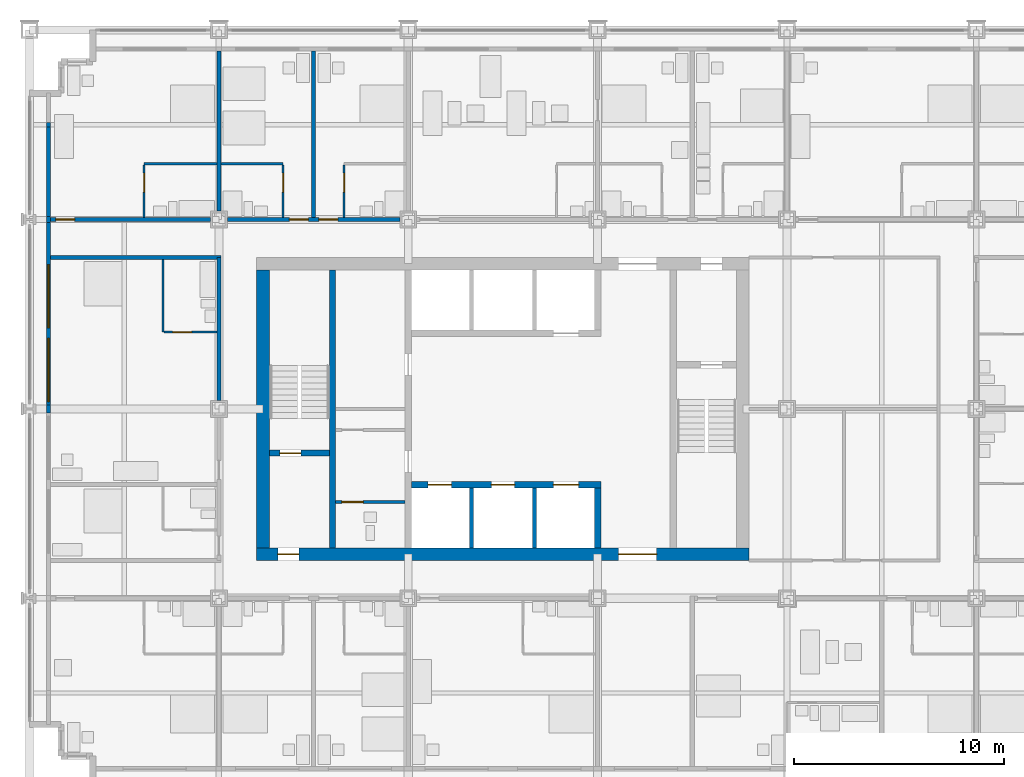
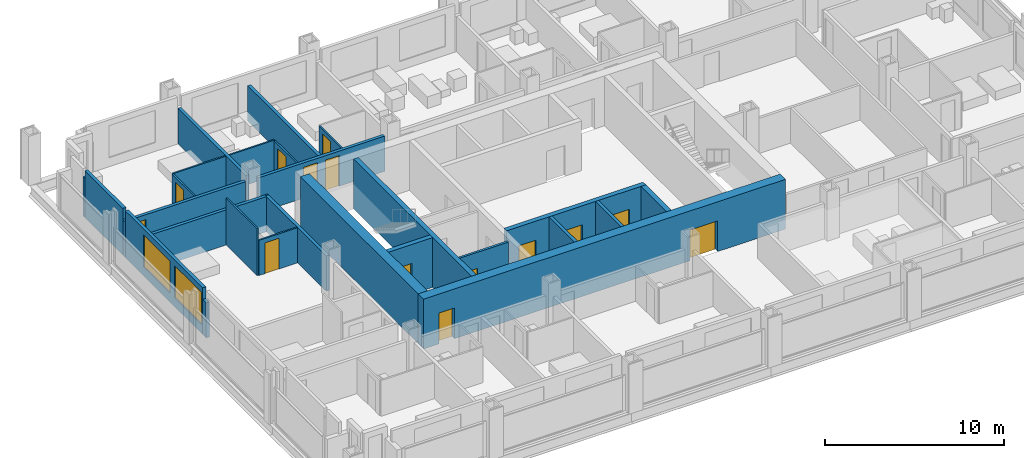
# One storey, part 11 of 18: 27 walls, 14 doors, 2 windows, 16 openings.
"""IFC4 building model written with IfcOpenShell, lengths in metres."""

from ifc_helpers import new_model, si_unit, direction, frame, frame_2d, origin, place, context, subcontext, project, spatial, rectangle, extrude, material, layer, layer_set, type_object, element, fill, save


model = new_model("IFC4")

# Units and contexts
model_context = context("Model", 3, precision=1e-05, world=origin(), true_north=direction((0.0, 1.0)))
body_context = subcontext(model_context, "Body", "Model", "MODEL_VIEW")
ifc_project = project(units=[si_unit("LENGTHUNIT", "METRE"), si_unit("AREAUNIT", "SQUARE_METRE"), si_unit("VOLUMEUNIT", "CUBIC_METRE"), si_unit("PLANEANGLEUNIT", "RADIAN"), si_unit("MASSUNIT", "GRAM", prefix="KILO")], contexts=[model_context])

# Site, building, storey
site_placement = place(None, origin())
site = spatial("IfcSite", under=ifc_project, at=site_placement, CompositionType="ELEMENT")
building_placement = place(site_placement, origin())
building = spatial("IfcBuilding", under=site, at=building_placement, Name="Loomwork Tower", CompositionType="ELEMENT")
storey_placement = place(building_placement, frame((0.0, 0.0, 34.800048828125)))
storey = spatial("IfcBuildingStorey", under=building, at=storey_placement, Name="L07", CompositionType="ELEMENT", Elevation=34.800048828125)

# Wall
ifc_material_1 = material(Name="Concrete 14000 psi (97 MPa)", Category="concrete")
ifc_layer_1 = layer(ifc_material_1, 0.300048828125)
ifc_layer_set_1 = layer_set([ifc_layer_1], Name="Core shear wall 300")
wall_type_1 = type_object("IfcWallType", Name="Core shear wall 300", PredefinedType="SHEAR", material=ifc_layer_set_1)
wall_1_placement = place(storey_placement, frame((14.39990234375, 11.39990234375, 0.0), z_axis=(0.0, 0.0, 1.0), x_axis=(0.0, 1.0, 0.0)))
element("IfcWall", 1, at=wall_1_placement, inside=storey, type_object=wall_type_1, Name="Stair A east wall L07", PredefinedType="SHEAR", context=body_context, shape_type="SweptSolid", body=[
    extrude(rectangle(XDim=13.2001953125, YDim=0.300048828125, at=frame_2d((6.60009765625, 0.0))), origin(), (0.0, 0.0, 1.0), 3.39990234375),
])

# Wall, opening, door
wall_2_placement = place(storey_placement, frame((11.39990234375, 15.89990234375, 0.0), z_axis=(0.0, 0.0, 1.0), x_axis=(1.0, 0.0, 0.0)))
wall_2 = element("IfcWall", 2, at=wall_2_placement, inside=storey, type_object=wall_type_1, Name="Stair A south wall L07", PredefinedType="SHEAR", context=body_context, shape_type="SweptSolid", body=[
    extrude(rectangle(XDim=2.85009765625, YDim=0.300048828125, at=frame_2d((1.425048828125, 0.0))), origin(), (0.0, 0.0, 1.0), 3.39990234375),
])
opening_1_placement = place(wall_2_placement, frame((0.5, 0.0, 0.0)))
opening_1 = element("IfcOpeningElement", 3, at=opening_1_placement, cuts=wall_2, Name="Opening D4", PredefinedType="OPENING", context=body_context, shape_type="SweptSolid", body=[
    extrude(rectangle(XDim=1.0, YDim=2.10009765625, at=frame_2d((0.5, 1.050048828125))), frame((0.0, 0.159912109375, 0.0), z_axis=(0.0, -1.0, 0.0), x_axis=(1.0, 0.0, 0.0)), (0.0, 0.0, 1.0), 0.320068359375),
])
ifc_material_2 = material(Name="Hollow metal door and frame")
door_type_1 = type_object("IfcDoorType", Name="Stair door 1000", OperationType="SINGLE_SWING_RIGHT", PredefinedType="DOOR", material=ifc_material_2)
door_1_placement = place(opening_1_placement, origin())
door_1 = element("IfcDoor", 4, at=door_1_placement, inside=storey, type_object=door_type_1, Name="Stair A door", OperationType="SINGLE_SWING_LEFT", OverallHeight=2.10009765625, OverallWidth=1.0, PredefinedType="DOOR", context=body_context, shape_type="SweptSolid", body=[
    extrude(rectangle(XDim=1.0, YDim=2.10009765625, at=frame_2d((0.5, 1.050048828125))), frame((0.0, 0.02490234375, 0.0), z_axis=(0.0, -1.0, 0.0), x_axis=(1.0, 0.0, 0.0)), (0.0, 0.0, 1.0), 0.050048828125),
])
fill(opening_1, door_1)

# Wall, openings, doors
wall_3_placement = place(storey_placement, frame((18.14990234375, 14.39990234375, 0.0), z_axis=(0.0, 0.0, 1.0), x_axis=(1.0, 0.0, 0.0)))
wall_3 = element("IfcWall", 5, at=wall_3_placement, inside=storey, type_object=wall_type_1, Name="Lift front wall south L07", PredefinedType="SHEAR", context=body_context, shape_type="SweptSolid", body=[
    extrude(rectangle(XDim=9.0, YDim=0.300048828125, at=frame_2d((4.5, 0.0))), origin(), (0.0, 0.0, 1.0), 3.39990234375),
])
opening_2_placement = place(wall_3_placement, frame((0.800048828125, 0.0, 0.0)))
opening_2 = element("IfcOpeningElement", 6, at=opening_2_placement, cuts=wall_3, Name="Opening LD1", PredefinedType="OPENING", context=body_context, shape_type="SweptSolid", body=[
    extrude(rectangle(XDim=1.10009765625, YDim=2.10009765625, at=frame_2d((0.550048828125, 1.050048828125))), frame((0.0, 0.159912109375, 0.0), z_axis=(0.0, -1.0, 0.0), x_axis=(1.0, 0.0, 0.0)), (0.0, 0.0, 1.0), 0.320068359375),
])
opening_3_placement = place(wall_3_placement, frame((3.800048828125, 0.0, 0.0)))
opening_3 = element("IfcOpeningElement", 7, at=opening_3_placement, cuts=wall_3, Name="Opening LD1", PredefinedType="OPENING", context=body_context, shape_type="SweptSolid", body=[
    extrude(rectangle(XDim=1.10009765625, YDim=2.10009765625, at=frame_2d((0.550048828125, 1.050048828125))), frame((0.0, 0.159912109375, 0.0), z_axis=(0.0, -1.0, 0.0), x_axis=(1.0, 0.0, 0.0)), (0.0, 0.0, 1.0), 0.320068359375),
])
opening_4_placement = place(wall_3_placement, frame((6.75, 0.0, 0.0)))
opening_4 = element("IfcOpeningElement", 8, at=opening_4_placement, cuts=wall_3, Name="Opening LD2", PredefinedType="OPENING", context=body_context, shape_type="SweptSolid", body=[
    extrude(rectangle(XDim=1.199951171875, YDim=2.10009765625, at=frame_2d((0.60009765625, 1.050048828125))), frame((0.0, 0.159912109375, 0.0), z_axis=(0.0, -1.0, 0.0), x_axis=(1.0, 0.0, 0.0)), (0.0, 0.0, 1.0), 0.320068359375),
])
ifc_material_3 = material(Name="Hollow metal door and frame")
door_type_2 = type_object("IfcDoorType", Name="Lift landing door 1100", OperationType="SLIDING_TO_LEFT", PredefinedType="DOOR", material=ifc_material_3)
door_2_placement = place(opening_2_placement, origin())
door_2 = element("IfcDoor", 9, at=door_2_placement, inside=storey, type_object=door_type_2, Name="Lift landing door LA1", OperationType="SLIDING_TO_LEFT", OverallHeight=2.10009765625, OverallWidth=1.10009765625, PredefinedType="DOOR", context=body_context, shape_type="SweptSolid", body=[
    extrude(rectangle(XDim=1.10009765625, YDim=2.10009765625, at=frame_2d((0.550048828125, 1.050048828125))), frame((0.0, 0.02490234375, 0.0), z_axis=(0.0, -1.0, 0.0), x_axis=(1.0, 0.0, 0.0)), (0.0, 0.0, 1.0), 0.050048828125),
])
fill(opening_2, door_2)
door_3_placement = place(opening_3_placement, origin())
door_3 = element("IfcDoor", 10, at=door_3_placement, inside=storey, type_object=door_type_2, Name="Lift landing door LA2", OperationType="SLIDING_TO_LEFT", OverallHeight=2.10009765625, OverallWidth=1.10009765625, PredefinedType="DOOR", context=body_context, shape_type="SweptSolid", body=[
    extrude(rectangle(XDim=1.10009765625, YDim=2.10009765625, at=frame_2d((0.550048828125, 1.050048828125))), frame((0.0, 0.02490234375, 0.0), z_axis=(0.0, -1.0, 0.0), x_axis=(1.0, 0.0, 0.0)), (0.0, 0.0, 1.0), 0.050048828125),
])
fill(opening_3, door_3)
ifc_material_4 = material(Name="Hollow metal door and frame")
door_type_3 = type_object("IfcDoorType", Name="Lift landing door 1200", OperationType="SLIDING_TO_LEFT", PredefinedType="DOOR", material=ifc_material_4)
door_4_placement = place(opening_4_placement, origin())
door_4 = element("IfcDoor", 11, at=door_4_placement, inside=storey, type_object=door_type_3, Name="Lift landing door LF1", OperationType="SLIDING_TO_LEFT", OverallHeight=2.10009765625, OverallWidth=1.199951171875, PredefinedType="DOOR", context=body_context, shape_type="SweptSolid", body=[
    extrude(rectangle(XDim=1.199951171875, YDim=2.10009765625, at=frame_2d((0.60009765625, 1.050048828125))), frame((0.0, 0.02490234375, 0.0), z_axis=(0.0, -1.0, 0.0), x_axis=(1.0, 0.0, 0.0)), (0.0, 0.0, 1.0), 0.050048828125),
])
fill(opening_4, door_4)

# Wall
wall_4_placement = place(storey_placement, frame((27.0, 11.39990234375, 0.0), z_axis=(0.0, 0.0, 1.0), x_axis=(0.0, 1.0, 0.0)))
element("IfcWall", 12, at=wall_4_placement, inside=storey, type_object=wall_type_1, Name="Lift shaft end wall south L07", PredefinedType="SHEAR", context=body_context, shape_type="SweptSolid", body=[
    extrude(rectangle(XDim=2.85009765625, YDim=0.300048828125, at=frame_2d((1.425048828125, 0.0))), origin(), (0.0, 0.0, 1.0), 3.39990234375),
])

# Wall, openings, doors
ifc_material_5 = material(Name="Concrete 14000 psi (97 MPa)", Category="concrete")
ifc_layer_2 = layer(ifc_material_5, 0.60009765625)
ifc_layer_set_2 = layer_set([ifc_layer_2], Name="Core shear wall 600")
wall_type_2 = type_object("IfcWallType", Name="Core shear wall 600", PredefinedType="SHEAR", material=ifc_layer_set_2)
wall_5_placement = place(storey_placement, frame((10.800048828125, 11.10009765625, 0.0), z_axis=(0.0, 0.0, 1.0), x_axis=(1.0, 0.0, 0.0)))
wall_5 = element("IfcWall", 13, at=wall_5_placement, inside=storey, type_object=wall_type_2, Name="Core wall south L07", PredefinedType="SHEAR", context=body_context, shape_type="SweptSolid", body=[
    extrude(rectangle(XDim=23.39990234375, YDim=0.60009765625, at=frame_2d((11.699951171875, 0.0))), origin(), (0.0, 0.0, 1.0), 3.39990234375),
])
opening_5_placement = place(wall_5_placement, frame((1.0, 0.0, 0.0)))
opening_5 = element("IfcOpeningElement", 14, at=opening_5_placement, cuts=wall_5, Name="Opening D4", PredefinedType="OPENING", context=body_context, shape_type="SweptSolid", body=[
    extrude(rectangle(XDim=1.0, YDim=2.10009765625, at=frame_2d((0.5, 1.050048828125))), frame((0.0, 0.31005859375, 0.0), z_axis=(0.0, -1.0, 0.0), x_axis=(1.0, 0.0, 0.0)), (0.0, 0.0, 1.0), 0.6201171875),
])
opening_6_placement = place(wall_5_placement, frame((17.199951171875, 0.0, 0.0)))
opening_6 = element("IfcOpeningElement", 15, at=opening_6_placement, cuts=wall_5, Name="Opening D6", PredefinedType="OPENING", context=body_context, shape_type="SweptSolid", body=[
    extrude(rectangle(XDim=1.800048828125, YDim=2.10009765625, at=frame_2d((0.89990234375, 1.050048828125))), frame((0.0, 0.31005859375, 0.0), z_axis=(0.0, -1.0, 0.0), x_axis=(1.0, 0.0, 0.0)), (0.0, 0.0, 1.0), 0.6201171875),
])
ifc_material_6 = material(Name="Hollow metal door and frame")
door_type_4 = type_object("IfcDoorType", Name="Lobby passage double door 1800", OperationType="DOUBLE_DOOR_SINGLE_SWING", PredefinedType="DOOR", material=ifc_material_6)
door_5_placement = place(opening_6_placement, origin())
door_5 = element("IfcDoor", 16, at=door_5_placement, inside=storey, type_object=door_type_4, Name="Lobby passage door south", OperationType="DOUBLE_DOOR_SINGLE_SWING", OverallHeight=2.10009765625, OverallWidth=1.800048828125, PredefinedType="DOOR", context=body_context, shape_type="SweptSolid", body=[
    extrude(rectangle(XDim=1.800048828125, YDim=2.10009765625, at=frame_2d((0.89990234375, 1.050048828125))), frame((0.0, 0.02490234375, 0.0), z_axis=(0.0, -1.0, 0.0), x_axis=(1.0, 0.0, 0.0)), (0.0, 0.0, 1.0), 0.050048828125),
])
fill(opening_6, door_5)
door_6_placement = place(opening_5_placement, origin())
door_6 = element("IfcDoor", 17, at=door_6_placement, inside=storey, type_object=door_type_1, Name="Stair A vestibule door", OperationType="SINGLE_SWING_LEFT", OverallHeight=2.10009765625, OverallWidth=1.0, PredefinedType="DOOR", context=body_context, shape_type="SweptSolid", body=[
    extrude(rectangle(XDim=1.0, YDim=2.10009765625, at=frame_2d((0.5, 1.050048828125))), frame((0.0, 0.02490234375, 0.0), z_axis=(0.0, -1.0, 0.0), x_axis=(1.0, 0.0, 0.0)), (0.0, 0.0, 1.0), 0.050048828125),
])
fill(opening_5, door_6)

# Wall
wall_6_placement = place(storey_placement, frame((11.10009765625, 11.39990234375, 0.0), z_axis=(0.0, 0.0, 1.0), x_axis=(0.0, 1.0, 0.0)))
element("IfcWall", 18, at=wall_6_placement, inside=storey, type_object=wall_type_2, Name="Core wall west L07", PredefinedType="SHEAR", context=body_context, shape_type="SweptSolid", body=[
    extrude(rectangle(XDim=13.2001953125, YDim=0.60009765625, at=frame_2d((6.60009765625, 0.0))), origin(), (0.0, 0.0, 1.0), 3.39990234375),
])

# Wall, opening, door
ifc_material_7 = material(Name="Gypsum board on steel studs, one-hour", Category="steel")
ifc_layer_3 = layer(ifc_material_7, 0.199951171875)
ifc_layer_set_3 = layer_set([ifc_layer_3], Name="Corridor wall 200")
wall_type_3 = type_object("IfcWallType", Name="Corridor wall 200", PredefinedType="PARTITIONING", material=ifc_layer_set_3)
wall_7_placement = place(storey_placement, frame((1.0, 27.0, 0.0), z_axis=(0.0, 0.0, 1.0), x_axis=(1.0, 0.0, 0.0)))
wall_7 = element("IfcWall", 19, at=wall_7_placement, inside=storey, type_object=wall_type_3, Name="North corridor wall 1", PredefinedType="PARTITIONING", context=body_context, shape_type="SweptSolid", body=[
    extrude(rectangle(XDim=7.60009765625, YDim=0.199951171875, at=frame_2d((3.800048828125, 0.0))), origin(), (0.0, 0.0, 1.0), 2.43798828125),
])
opening_7_placement = place(wall_7_placement, frame((0.25, 0.0, 0.0)))
opening_7 = element("IfcOpeningElement", 20, at=opening_7_placement, cuts=wall_7, Name="Opening D1", PredefinedType="OPENING", context=body_context, shape_type="SweptSolid", body=[
    extrude(rectangle(XDim=0.89990234375, YDim=2.10009765625, at=frame_2d((0.449951171875, 1.050048828125))), frame((0.0, 0.10986328125, 0.0), z_axis=(0.0, -1.0, 0.0), x_axis=(1.0, 0.0, 0.0)), (0.0, 0.0, 1.0), 0.219970703125),
])
ifc_material_8 = material(Name="Hollow metal door and frame")
door_type_5 = type_object("IfcDoorType", Name="Guest room entry door 900", OperationType="SINGLE_SWING_LEFT", PredefinedType="DOOR", material=ifc_material_8)
door_7_placement = place(opening_7_placement, origin())
door_7 = element("IfcDoor", 21, at=door_7_placement, inside=storey, type_object=door_type_5, Name="Guest room entry door L07 8", OperationType="SINGLE_SWING_LEFT", OverallHeight=2.10009765625, OverallWidth=0.89990234375, PredefinedType="DOOR", context=body_context, shape_type="SweptSolid", body=[
    extrude(rectangle(XDim=0.89990234375, YDim=2.10009765625, at=frame_2d((0.449951171875, 1.050048828125))), frame((0.0, 0.02490234375, 0.0), z_axis=(0.0, -1.0, 0.0), x_axis=(1.0, 0.0, 0.0)), (0.0, 0.0, 1.0), 0.050048828125),
])
fill(opening_7, door_7)

# Wall, openings, doors
wall_8_placement = place(storey_placement, frame((9.39990234375, 27.0, 0.0), z_axis=(0.0, 0.0, 1.0), x_axis=(1.0, 0.0, 0.0)))
wall_8 = element("IfcWall", 22, at=wall_8_placement, inside=storey, type_object=wall_type_3, Name="North corridor wall 2", PredefinedType="PARTITIONING", context=body_context, shape_type="SweptSolid", body=[
    extrude(rectangle(XDim=8.2001953125, YDim=0.199951171875, at=frame_2d((4.10009765625, 0.0))), origin(), (0.0, 0.0, 1.0), 2.405029296875),
])
opening_8_placement = place(wall_8_placement, frame((2.949951171875, 0.0, 0.0)))
opening_8 = element("IfcOpeningElement", 23, at=opening_8_placement, cuts=wall_8, Name="Opening D1", PredefinedType="OPENING", context=body_context, shape_type="SweptSolid", body=[
    extrude(rectangle(XDim=0.89990234375, YDim=2.10009765625, at=frame_2d((0.449951171875, 1.050048828125))), frame((0.0, 0.10986328125, 0.0), z_axis=(0.0, -1.0, 0.0), x_axis=(1.0, 0.0, 0.0)), (0.0, 0.0, 1.0), 0.219970703125),
])
opening_9_placement = place(wall_8_placement, frame((4.35009765625, 0.0, 0.0)))
opening_9 = element("IfcOpeningElement", 24, at=opening_9_placement, cuts=wall_8, Name="Opening D1", PredefinedType="OPENING", context=body_context, shape_type="SweptSolid", body=[
    extrude(rectangle(XDim=0.89990234375, YDim=2.10009765625, at=frame_2d((0.449951171875, 1.050048828125))), frame((0.0, 0.10986328125, 0.0), z_axis=(0.0, -1.0, 0.0), x_axis=(1.0, 0.0, 0.0)), (0.0, 0.0, 1.0), 0.219970703125),
])
door_8_placement = place(opening_8_placement, origin())
door_8 = element("IfcDoor", 25, at=door_8_placement, inside=storey, type_object=door_type_5, Name="Guest room entry door L07 9", OperationType="SINGLE_SWING_RIGHT", OverallHeight=2.10009765625, OverallWidth=0.89990234375, PredefinedType="DOOR", context=body_context, shape_type="SweptSolid", body=[
    extrude(rectangle(XDim=0.89990234375, YDim=2.10009765625, at=frame_2d((0.449951171875, 1.050048828125))), frame((0.0, 0.02490234375, 0.0), z_axis=(0.0, -1.0, 0.0), x_axis=(1.0, 0.0, 0.0)), (0.0, 0.0, 1.0), 0.050048828125),
])
fill(opening_8, door_8)
door_9_placement = place(opening_9_placement, origin())
door_9 = element("IfcDoor", 26, at=door_9_placement, inside=storey, type_object=door_type_5, Name="Guest room entry door L07 10", OperationType="SINGLE_SWING_LEFT", OverallHeight=2.10009765625, OverallWidth=0.89990234375, PredefinedType="DOOR", context=body_context, shape_type="SweptSolid", body=[
    extrude(rectangle(XDim=0.89990234375, YDim=2.10009765625, at=frame_2d((0.449951171875, 1.050048828125))), frame((0.0, 0.02490234375, 0.0), z_axis=(0.0, -1.0, 0.0), x_axis=(1.0, 0.0, 0.0)), (0.0, 0.0, 1.0), 0.050048828125),
])
fill(opening_9, door_9)

# Walls
wall_9_placement = place(storey_placement, frame((9.0, 18.39990234375, 0.0), z_axis=(0.0, 0.0, 1.0), x_axis=(0.0, 1.0, 0.0)))
element("IfcWall", 27, at=wall_9_placement, inside=storey, type_object=wall_type_3, Name="West corridor wall 2", PredefinedType="PARTITIONING", context=body_context, shape_type="SweptSolid", body=[
    extrude(rectangle(XDim=6.800048828125, YDim=0.199951171875, at=frame_2d((3.39990234375, 0.0))), origin(), (0.0, 0.0, 1.0), 2.405029296875),
])
wall_10_placement = place(storey_placement, frame((1.0, 25.199951171875, 0.0), z_axis=(0.0, 0.0, 1.0), x_axis=(1.0, 0.0, 0.0)))
element("IfcWall", 28, at=wall_10_placement, inside=storey, type_object=wall_type_3, Name="West band end wall N", PredefinedType="PARTITIONING", context=body_context, shape_type="SweptSolid", body=[
    extrude(rectangle(XDim=8.10009765625, YDim=0.199951171875, at=frame_2d((4.050048828125, 0.0))), origin(), (0.0, 0.0, 1.0), 2.404052734375),
])
ifc_material_9 = material(Name="Cement board on steel studs", Category="steel")
ifc_layer_4 = layer(ifc_material_9, 0.10009765625)
ifc_layer_set_4 = layer_set([ifc_layer_4], Name="En-suite partition 100")
wall_type_4 = type_object("IfcWallType", Name="En-suite partition 100", PredefinedType="PARTITIONING", material=ifc_layer_set_4)
wall_11_placement = place(storey_placement, frame((5.449951171875, 29.64990234375, 0.0), z_axis=(0.0, 0.0, 1.0), x_axis=(1.0, 0.0, 0.0)))
element("IfcWall", 29, at=wall_11_placement, inside=storey, type_object=wall_type_4, Name="En-suite wall L07 room 8", PredefinedType="PARTITIONING", context=body_context, shape_type="SweptSolid", body=[
    extrude(rectangle(XDim=3.449951171875, YDim=0.10009765625, at=frame_2d((1.72509765625, 0.0))), origin(), (0.0, 0.0, 1.0), 2.43798828125),
])

# Wall, opening, door
wall_12_placement = place(storey_placement, frame((5.449951171875, 27.10009765625, 0.0), z_axis=(0.0, 0.0, 1.0), x_axis=(0.0, 1.0, 0.0)))
wall_12 = element("IfcWall", 30, at=wall_12_placement, inside=storey, type_object=wall_type_4, Name="En-suite side wall L07 room 8", PredefinedType="PARTITIONING", context=body_context, shape_type="SweptSolid", body=[
    extrude(rectangle(XDim=2.5, YDim=0.10009765625, at=frame_2d((1.25, 0.0))), origin(), (0.0, 0.0, 1.0), 2.43798828125),
])
opening_10_placement = place(wall_12_placement, frame((1.199951171875, 0.0, 0.0)))
opening_10 = element("IfcOpeningElement", 31, at=opening_10_placement, cuts=wall_12, Name="Opening D2", PredefinedType="OPENING", context=body_context, shape_type="SweptSolid", body=[
    extrude(rectangle(XDim=0.89990234375, YDim=2.10009765625, at=frame_2d((0.449951171875, 1.050048828125))), frame((0.0, 0.06005859375, 0.0), z_axis=(0.0, -1.0, 0.0), x_axis=(1.0, 0.0, 0.0)), (0.0, 0.0, 1.0), 0.1201171875),
])
ifc_material_10 = material(Name="Hollow metal door and frame")
door_type_6 = type_object("IfcDoorType", Name="En-suite door 900", OperationType="SINGLE_SWING_LEFT", PredefinedType="DOOR", material=ifc_material_10)
door_10_placement = place(opening_10_placement, frame((0.89990234375, 0.0, 0.0), z_axis=(0.0, 0.0, 1.0), x_axis=(-1.0, 0.0, 0.0)))
door_10 = element("IfcDoor", 32, at=door_10_placement, inside=storey, type_object=door_type_6, Name="En-suite door room 8", OperationType="SINGLE_SWING_LEFT", OverallHeight=2.10009765625, OverallWidth=0.89990234375, PredefinedType="DOOR", context=body_context, shape_type="SweptSolid", body=[
    extrude(rectangle(XDim=0.89990234375, YDim=2.10009765625, at=frame_2d((0.449951171875, 1.050048828125))), frame((0.0, 0.02490234375, 0.0), z_axis=(0.0, -1.0, 0.0), x_axis=(1.0, 0.0, 0.0)), (0.0, 0.0, 1.0), 0.050048828125),
])
fill(opening_10, door_10)

# Wall
wall_13_placement = place(storey_placement, frame((9.10009765625, 29.64990234375, 0.0), z_axis=(0.0, 0.0, 1.0), x_axis=(1.0, 0.0, 0.0)))
element("IfcWall", 33, at=wall_13_placement, inside=storey, type_object=wall_type_4, Name="En-suite wall L07 room 9", PredefinedType="PARTITIONING", context=body_context, shape_type="SweptSolid", body=[
    extrude(rectangle(XDim=2.949951171875, YDim=0.10009765625, at=frame_2d((1.47509765625, 0.0))), origin(), (0.0, 0.0, 1.0), 2.43798828125),
])

# Wall, opening, door
wall_14_placement = place(storey_placement, frame((12.050048828125, 27.10009765625, 0.0), z_axis=(0.0, 0.0, 1.0), x_axis=(0.0, 1.0, 0.0)))
wall_14 = element("IfcWall", 34, at=wall_14_placement, inside=storey, type_object=wall_type_4, Name="En-suite side wall L07 room 9", PredefinedType="PARTITIONING", context=body_context, shape_type="SweptSolid", body=[
    extrude(rectangle(XDim=2.5, YDim=0.10009765625, at=frame_2d((1.25, 0.0))), origin(), (0.0, 0.0, 1.0), 2.404052734375),
])
opening_11_placement = place(wall_14_placement, frame((1.199951171875, 0.0, 0.0)))
opening_11 = element("IfcOpeningElement", 35, at=opening_11_placement, cuts=wall_14, Name="Opening D2", PredefinedType="OPENING", context=body_context, shape_type="SweptSolid", body=[
    extrude(rectangle(XDim=0.89990234375, YDim=2.10009765625, at=frame_2d((0.449951171875, 1.050048828125))), frame((0.0, 0.06005859375, 0.0), z_axis=(0.0, -1.0, 0.0), x_axis=(1.0, 0.0, 0.0)), (0.0, 0.0, 1.0), 0.1201171875),
])
door_11_placement = place(opening_11_placement, origin())
door_11 = element("IfcDoor", 36, at=door_11_placement, inside=storey, type_object=door_type_6, Name="En-suite door room 9", OperationType="SINGLE_SWING_RIGHT", OverallHeight=2.10009765625, OverallWidth=0.89990234375, PredefinedType="DOOR", context=body_context, shape_type="SweptSolid", body=[
    extrude(rectangle(XDim=0.89990234375, YDim=2.10009765625, at=frame_2d((0.449951171875, 1.050048828125))), frame((0.0, 0.02490234375, 0.0), z_axis=(0.0, -1.0, 0.0), x_axis=(1.0, 0.0, 0.0)), (0.0, 0.0, 1.0), 0.050048828125),
])
fill(opening_11, door_11)

wall_15_placement = place(storey_placement, frame((14.949951171875, 27.10009765625, 0.0), z_axis=(0.0, 0.0, 1.0), x_axis=(0.0, 1.0, 0.0)))
wall_15 = element("IfcWall", 37, at=wall_15_placement, inside=storey, type_object=wall_type_4, Name="En-suite side wall L07 room 10", PredefinedType="PARTITIONING", context=body_context, shape_type="SweptSolid", body=[
    extrude(rectangle(XDim=2.5, YDim=0.10009765625, at=frame_2d((1.25, 0.0))), origin(), (0.0, 0.0, 1.0), 2.404052734375),
])
opening_12_placement = place(wall_15_placement, frame((1.199951171875, 0.0, 0.0)))
opening_12 = element("IfcOpeningElement", 38, at=opening_12_placement, cuts=wall_15, Name="Opening D2", PredefinedType="OPENING", context=body_context, shape_type="SweptSolid", body=[
    extrude(rectangle(XDim=0.89990234375, YDim=2.10009765625, at=frame_2d((0.449951171875, 1.050048828125))), frame((0.0, 0.06005859375, 0.0), z_axis=(0.0, -1.0, 0.0), x_axis=(1.0, 0.0, 0.0)), (0.0, 0.0, 1.0), 0.1201171875),
])
door_12_placement = place(opening_12_placement, frame((0.89990234375, 0.0, 0.0), z_axis=(0.0, 0.0, 1.0), x_axis=(-1.0, 0.0, 0.0)))
door_12 = element("IfcDoor", 39, at=door_12_placement, inside=storey, type_object=door_type_6, Name="En-suite door room 10", OperationType="SINGLE_SWING_LEFT", OverallHeight=2.10009765625, OverallWidth=0.89990234375, PredefinedType="DOOR", context=body_context, shape_type="SweptSolid", body=[
    extrude(rectangle(XDim=0.89990234375, YDim=2.10009765625, at=frame_2d((0.449951171875, 1.050048828125))), frame((0.0, 0.02490234375, 0.0), z_axis=(0.0, -1.0, 0.0), x_axis=(1.0, 0.0, 0.0)), (0.0, 0.0, 1.0), 0.050048828125),
])
fill(opening_12, door_12)

# Wall
wall_16_placement = place(storey_placement, frame((6.35009765625, 21.64990234375, 0.0), z_axis=(0.0, 0.0, 1.0), x_axis=(0.0, 1.0, 0.0)))
element("IfcWall", 40, at=wall_16_placement, inside=storey, type_object=wall_type_4, Name="En-suite wall L07 room 17", PredefinedType="PARTITIONING", context=body_context, shape_type="SweptSolid", body=[
    extrude(rectangle(XDim=3.4501953125, YDim=0.10009765625, at=frame_2d((1.72509765625, 0.0))), origin(), (0.0, 0.0, 1.0), 3.199951171875),
])

# Wall, opening, door
wall_17_placement = place(storey_placement, frame((8.89990234375, 21.64990234375, 0.0), z_axis=(0.0, 0.0, 1.0), x_axis=(-1.0, 0.0, 0.0)))
wall_17 = element("IfcWall", 41, at=wall_17_placement, inside=storey, type_object=wall_type_4, Name="En-suite side wall L07 room 17", PredefinedType="PARTITIONING", context=body_context, shape_type="SweptSolid", body=[
    extrude(rectangle(XDim=2.5, YDim=0.10009765625, at=frame_2d((1.25, 0.0))), origin(), (0.0, 0.0, 1.0), 2.404052734375),
])
opening_13_placement = place(wall_17_placement, frame((1.199951171875, 0.0, 0.0)))
opening_13 = element("IfcOpeningElement", 42, at=opening_13_placement, cuts=wall_17, Name="Opening D2", PredefinedType="OPENING", context=body_context, shape_type="SweptSolid", body=[
    extrude(rectangle(XDim=0.89990234375, YDim=2.10009765625, at=frame_2d((0.449951171875, 1.050048828125))), frame((0.0, 0.06005859375, 0.0), z_axis=(0.0, -1.0, 0.0), x_axis=(1.0, 0.0, 0.0)), (0.0, 0.0, 1.0), 0.1201171875),
])
door_13_placement = place(opening_13_placement, frame((0.89990234375, 0.0, 0.0), z_axis=(0.0, 0.0, 1.0), x_axis=(-1.0, 0.0, 0.0)))
door_13 = element("IfcDoor", 43, at=door_13_placement, inside=storey, type_object=door_type_6, Name="En-suite door room 17", OperationType="SINGLE_SWING_LEFT", OverallHeight=2.10009765625, OverallWidth=0.89990234375, PredefinedType="DOOR", context=body_context, shape_type="SweptSolid", body=[
    extrude(rectangle(XDim=0.89990234375, YDim=2.10009765625, at=frame_2d((0.449951171875, 1.050048828125))), frame((0.0, 0.02490234375, 0.0), z_axis=(0.0, -1.0, 0.0), x_axis=(1.0, 0.0, 0.0)), (0.0, 0.0, 1.0), 0.050048828125),
])
fill(opening_13, door_13)

# Walls
ifc_material_11 = material(Name="Gypsum board on steel studs, acoustic", Category="steel")
ifc_layer_5 = layer(ifc_material_11, 0.199951171875)
ifc_layer_set_5 = layer_set([ifc_layer_5], Name="Guest room party wall 200")
wall_type_5 = type_object("IfcWallType", Name="Guest room party wall 200", PredefinedType="PARTITIONING", material=ifc_layer_set_5)
wall_18_placement = place(storey_placement, frame((9.0, 27.39990234375, 0.0), z_axis=(0.0, 0.0, 1.0), x_axis=(0.0, 1.0, 0.0)))
element("IfcWall", 44, at=wall_18_placement, inside=storey, type_object=wall_type_5, Name="Guest room party wall N 9", PredefinedType="PARTITIONING", context=body_context, shape_type="SweptSolid", body=[
    extrude(rectangle(XDim=7.60009765625, YDim=0.199951171875, at=frame_2d((3.800048828125, 0.0))), origin(), (0.0, 0.0, 1.0), 2.43798828125),
])
wall_19_placement = place(storey_placement, frame((13.5, 27.10009765625, 0.0), z_axis=(0.0, 0.0, 1.0), x_axis=(0.0, 1.0, 0.0)))
element("IfcWall", 45, at=wall_19_placement, inside=storey, type_object=wall_type_5, Name="Guest room party wall N 13.5", PredefinedType="PARTITIONING", context=body_context, shape_type="SweptSolid", body=[
    extrude(rectangle(XDim=7.89990234375, YDim=0.199951171875, at=frame_2d((3.949951171875, 0.0))), origin(), (0.0, 0.0, 1.0), 2.404052734375),
])
ifc_material_12 = material(Name="Insulated steel stud wall with gypsum lining", Category="steel")
ifc_layer_6 = layer(ifc_material_12, 0.199951171875)
ifc_layer_set_6 = layer_set([ifc_layer_6], Name="Inner skin wall 200")
wall_type_6 = type_object("IfcWallType", Name="Inner skin wall 200", PredefinedType="SOLIDWALL", material=ifc_layer_set_6)
wall_20_placement = place(storey_placement, frame((0.89990234375, 17.80615234375, 0.0), z_axis=(0.0, 0.0, 1.0), x_axis=(0.0, 1.0, 0.0)))
element("IfcWall", 46, at=wall_20_placement, inside=storey, type_object=wall_type_6, Name="Inner skin wall W bay 6", PredefinedType="SOLIDWALL", context=body_context, shape_type="SweptSolid", body=[
    extrude(rectangle(XDim=0.3876953125, YDim=0.199951171875, at=frame_2d((0.19384765625, 0.0))), origin(), (0.0, 0.0, 1.0), 2.404052734375),
])

# Wall, openings, windows
wall_21_placement = place(storey_placement, frame((0.89990234375, 18.19384765625, 0.0), z_axis=(0.0, 0.0, 1.0), x_axis=(0.0, 1.0, 0.0)))
wall_21 = element("IfcWall", 47, at=wall_21_placement, inside=storey, type_object=wall_type_6, Name="Inner skin wall W bay 7", PredefinedType="SOLIDWALL", context=body_context, shape_type="SweptSolid", body=[
    extrude(rectangle(XDim=8.6708984375, YDim=0.199951171875, at=frame_2d((4.33544921875, 0.0))), origin(), (0.0, 0.0, 1.0), 3.199951171875),
])
opening_14_placement = place(wall_21_placement, frame((0.15625, 0.0, 0.60009765625)))
opening_14 = element("IfcOpeningElement", 48, at=opening_14_placement, cuts=wall_21, Name="Opening CH1", PredefinedType="OPENING", context=body_context, shape_type="SweptSolid", body=[
    extrude(rectangle(XDim=3.0, YDim=2.199951171875, at=frame_2d((1.5, 1.10009765625))), frame((0.0, 0.10986328125, 0.0), z_axis=(0.0, -1.0, 0.0), x_axis=(1.0, 0.0, 0.0)), (0.0, 0.0, 1.0), 0.219970703125),
])
opening_15_placement = place(wall_21_placement, frame((3.65625, 0.0, 0.60009765625)))
opening_15 = element("IfcOpeningElement", 49, at=opening_15_placement, cuts=wall_21, Name="Opening CH1", PredefinedType="OPENING", context=body_context, shape_type="SweptSolid", body=[
    extrude(rectangle(XDim=3.0, YDim=2.199951171875, at=frame_2d((1.5, 1.10009765625))), frame((0.0, 0.10986328125, 0.0), z_axis=(0.0, -1.0, 0.0), x_axis=(1.0, 0.0, 0.0)), (0.0, 0.0, 1.0), 0.219970703125),
])
ifc_material_13 = material(Name="Aluminium frame with clear insulated glass", Category="aluminium")
window_type = type_object("IfcWindowType", Name="Chicago window 3000", PartitioningType="TRIPLE_PANEL_VERTICAL", PredefinedType="WINDOW", material=ifc_material_13)
window_1_placement = place(opening_14_placement, origin())
window_1 = element("IfcWindow", 50, at=window_1_placement, inside=storey, type_object=window_type, Name="Chicago window L07 bay 14", OverallHeight=2.199951171875, OverallWidth=3.0, PartitioningType="TRIPLE_PANEL_VERTICAL", PredefinedType="WINDOW", context=body_context, shape_type="SweptSolid", body=[
    extrude(rectangle(XDim=3.0, YDim=2.199951171875, at=frame_2d((1.5, 1.10009765625))), frame((0.0, 0.030029296875, 0.0), z_axis=(0.0, -1.0, 0.0), x_axis=(1.0, 0.0, 0.0)), (0.0, 0.0, 1.0), 0.06005859375),
])
fill(opening_14, window_1)
window_2_placement = place(opening_15_placement, origin())
window_2 = element("IfcWindow", 51, at=window_2_placement, inside=storey, type_object=window_type, Name="Chicago window L07 bay 14", OverallHeight=2.199951171875, OverallWidth=3.0, PartitioningType="TRIPLE_PANEL_VERTICAL", PredefinedType="WINDOW", context=body_context, shape_type="SweptSolid", body=[
    extrude(rectangle(XDim=3.0, YDim=2.199951171875, at=frame_2d((1.5, 1.10009765625))), frame((0.0, 0.030029296875, 0.0), z_axis=(0.0, -1.0, 0.0), x_axis=(1.0, 0.0, 0.0)), (0.0, 0.0, 1.0), 0.06005859375),
])
fill(opening_15, window_2)

# Walls
wall_22_placement = place(storey_placement, frame((0.89990234375, 26.86474609375, 0.0), z_axis=(0.0, 0.0, 1.0), x_axis=(0.0, 1.0, 0.0)))
element("IfcWall", 52, at=wall_22_placement, inside=storey, type_object=wall_type_6, Name="Inner skin wall W bay 8", PredefinedType="SOLIDWALL", context=body_context, shape_type="SweptSolid", body=[
    extrude(rectangle(XDim=0.2705078125, YDim=0.199951171875, at=frame_2d((0.13525390625, 0.0))), origin(), (0.0, 0.0, 1.0), 2.43798828125),
])
wall_23_placement = place(storey_placement, frame((0.89990234375, 27.13525390625, 0.0), z_axis=(0.0, 0.0, 1.0), x_axis=(0.0, 1.0, 0.0)))
element("IfcWall", 53, at=wall_23_placement, inside=storey, type_object=wall_type_6, Name="Inner skin wall W bay 9", PredefinedType="SOLIDWALL", context=body_context, shape_type="SweptSolid", body=[
    extrude(rectangle(XDim=4.25732421875, YDim=0.199951171875, at=frame_2d((2.128662109375, 0.0))), origin(), (0.0, 0.0, 1.0), 3.199951171875),
])
wall_24_placement = place(storey_placement, frame((0.89990234375, 31.392578125, 0.0), z_axis=(0.0, 0.0, 1.0), x_axis=(0.0, 1.0, 0.0)))
element("IfcWall", 54, at=wall_24_placement, inside=storey, type_object=wall_type_6, Name="Inner skin wall W bay 10", PredefinedType="SOLIDWALL", context=body_context, shape_type="SweptSolid", body=[
    extrude(rectangle(XDim=0.21484375, YDim=0.199951171875, at=frame_2d((0.107421875, 0.0))), origin(), (0.0, 0.0, 1.0), 2.660888671875),
])
ifc_material_14 = material(Name="Concrete 14000 psi (97 MPa)", Category="concrete")
ifc_layer_7 = layer(ifc_material_14, 0.199951171875)
ifc_layer_set_7 = layer_set([ifc_layer_7], Name="Lift shaft wall 200")
wall_type_7 = type_object("IfcWallType", Name="Lift shaft wall 200", PredefinedType="SHEAR", material=ifc_layer_set_7)
for number, where, z_axis, x_axis, name in (
    (55, (21.0, 11.39990234375, 0.0), (0.0, 0.0, 1.0), (0.0, 1.0, 0.0), "Lift shaft separation wall south 1 L07"),
    (56, (24.0, 11.39990234375, 0.0), (0.0, 0.0, 1.0), (0.0, 1.0, 0.0), "Lift shaft separation wall south 2 L07"),
):
    element("IfcWall", number, at=place(storey_placement, frame(where, z_axis=z_axis, x_axis=x_axis)), inside=storey, type_object=wall_type_7, Name=name, PredefinedType="SHEAR", context=body_context, shape_type="SweptSolid", body=[
        extrude(rectangle(XDim=2.85009765625, YDim=0.199951171875, at=frame_2d((1.425048828125, 0.0))), origin(), (0.0, 0.0, 1.0), 3.39990234375),
    ])

# Wall, opening, door
ifc_material_15 = material(Name="Gypsum board on steel studs, one-hour", Category="steel")
ifc_layer_8 = layer(ifc_material_15, 0.14990234375)
ifc_layer_set_8 = layer_set([ifc_layer_8], Name="Service partition 150")
wall_type_8 = type_object("IfcWallType", Name="Service partition 150", PredefinedType="PARTITIONING", material=ifc_layer_set_8)
wall_25_placement = place(storey_placement, frame((14.550048828125, 13.574951171875, 0.0), z_axis=(0.0, 0.0, 1.0), x_axis=(1.0, 0.0, 0.0)))
wall_25 = element("IfcWall", 57, at=wall_25_placement, inside=storey, type_object=wall_type_8, Name="Back-of-house partition L07", PredefinedType="PARTITIONING", context=body_context, shape_type="SweptSolid", body=[
    extrude(rectangle(XDim=3.300048828125, YDim=0.14990234375, at=frame_2d((1.64990234375, 0.0))), origin(), (0.0, 0.0, 1.0), 3.199951171875),
])
opening_16_placement = place(wall_25_placement, frame((0.300048828125, 0.0, 0.0)))
opening_16 = element("IfcOpeningElement", 58, at=opening_16_placement, cuts=wall_25, Name="Opening D5", PredefinedType="OPENING", context=body_context, shape_type="SweptSolid", body=[
    extrude(rectangle(XDim=1.0, YDim=2.10009765625, at=frame_2d((0.5, 1.050048828125))), frame((0.0, 0.0849609375, 0.0), z_axis=(0.0, -1.0, 0.0), x_axis=(1.0, 0.0, 0.0)), (0.0, 0.0, 1.0), 0.169921875),
])
ifc_material_16 = material(Name="Hollow metal door and frame")
door_type_7 = type_object("IfcDoorType", Name="Service door 1000", OperationType="SINGLE_SWING_LEFT", PredefinedType="DOOR", material=ifc_material_16)
door_14_placement = place(opening_16_placement, frame((1.0, 0.0, 0.0), z_axis=(0.0, 0.0, 1.0), x_axis=(-1.0, 0.0, 0.0)))
door_14 = element("IfcDoor", 59, at=door_14_placement, inside=storey, type_object=door_type_7, Name="Back-of-house room door", OperationType="SINGLE_SWING_RIGHT", OverallHeight=2.10009765625, OverallWidth=1.0, PredefinedType="DOOR", context=body_context, shape_type="SweptSolid", body=[
    extrude(rectangle(XDim=1.0, YDim=2.10009765625, at=frame_2d((0.5, 1.050048828125))), frame((0.0, 0.02490234375, 0.0), z_axis=(0.0, -1.0, 0.0), x_axis=(1.0, 0.0, 0.0)), (0.0, 0.0, 1.0), 0.050048828125),
])
fill(opening_16, door_14)

save(model, "model.ifc")
